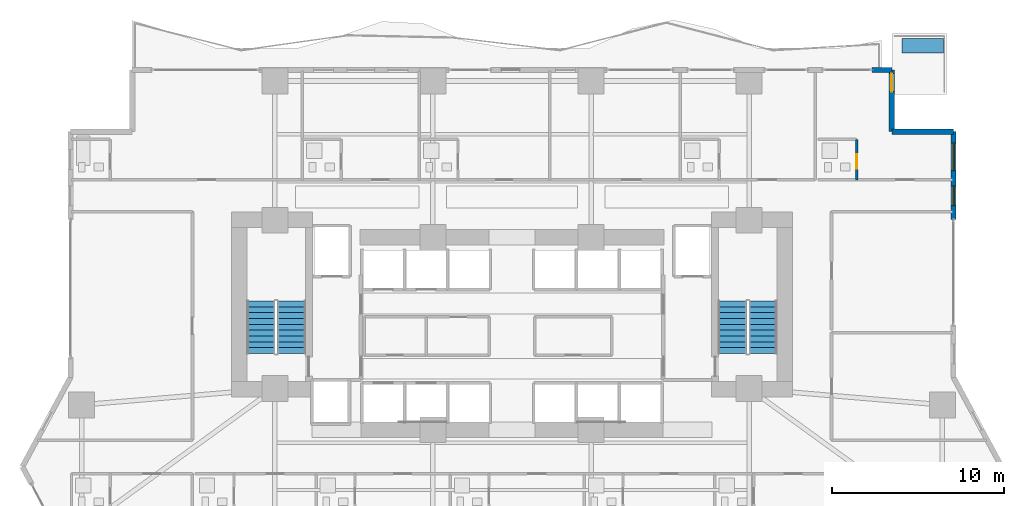
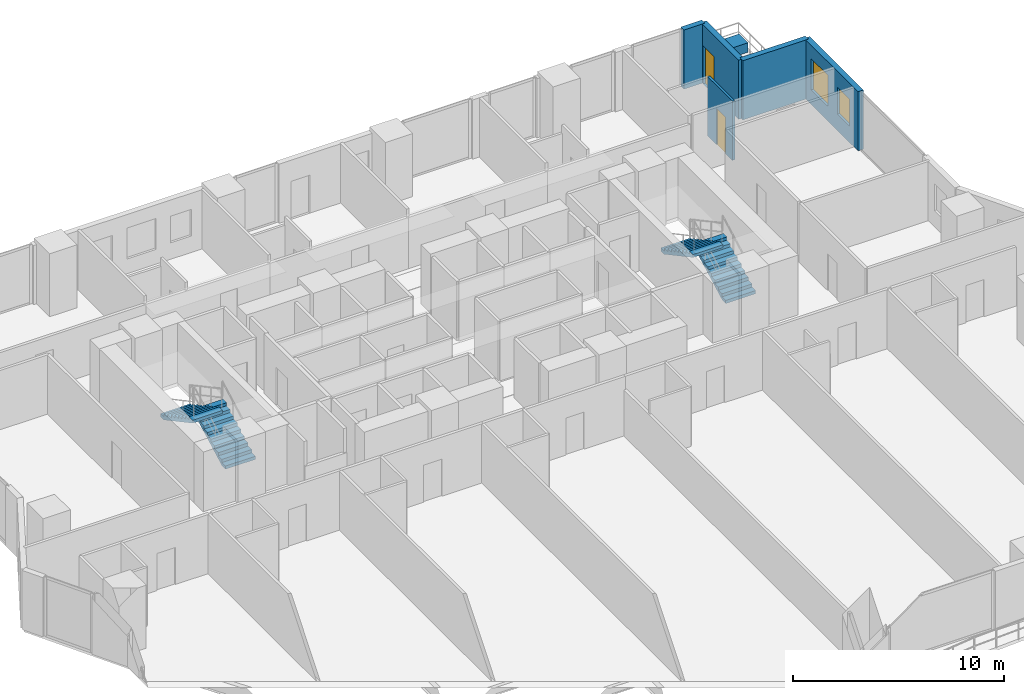
# One storey, part 23 of 28: 5 walls, 4 stair flights, 2 doors, 2 windows, 1 building element part, 4 openings, 2 elements without a shape of their own.
"""IFC4 building model written with IfcOpenShell, lengths in metres."""

from ifc_helpers import new_model, si_unit, direction, frame, frame_2d, origin, origin_2d, place, context, subcontext, project, spatial, polyline, rectangle, outline, extrude, material, layer, layer_set, type_object, element, fill, aggregate, save


model = new_model("IFC4")

# Units and contexts
model_context = context("Model", 3, precision=1e-05, world=origin(), true_north=direction((0.0, 1.0)))
body_context = subcontext(model_context, "Body", "Model", "MODEL_VIEW")
ifc_project = project(units=[si_unit("LENGTHUNIT", "METRE"), si_unit("AREAUNIT", "SQUARE_METRE"), si_unit("VOLUMEUNIT", "CUBIC_METRE"), si_unit("PLANEANGLEUNIT", "RADIAN"), si_unit("MASSUNIT", "GRAM", prefix="KILO")], contexts=[model_context])

# Site, building, storey
site_placement = place(None, origin())
site = spatial("IfcSite", under=ifc_project, at=site_placement, CompositionType="ELEMENT")
building_placement = place(site_placement, origin())
building = spatial("IfcBuilding", under=site, at=building_placement, Name="Zuhayl Quay Hotel", CompositionType="ELEMENT")
storey_placement = place(building_placement, frame((0.0, 0.0, 49.5)))
storey = spatial("IfcBuildingStorey", under=building, at=storey_placement, Name="L11", CompositionType="ELEMENT", Elevation=49.5)

# Wall
ifc_material_1 = material(Name="Precast concrete C45/55", Category="concrete")
ifc_layer_1 = layer(ifc_material_1, 0.300048828125, Name="Precast concrete C45/55", Category="concrete")
ifc_layer_set_1 = layer_set([ifc_layer_1], Name="Precast concrete C45/55")
wall_type_1 = type_object("IfcWallType", Name="WL_EXT_300", PredefinedType="STANDARD", material=ifc_layer_set_1)
wall_1_placement = place(storey_placement, frame((20.949951171875, 23.10009765625, 0.0), z_axis=(0.0, 0.0, 1.0), x_axis=(1.0, 0.0, 0.0)))
element("IfcWall", 1, at=wall_1_placement, inside=storey, type_object=wall_type_1, Name="L11 Exterior Precast Wall ENV_L11_N_EW7", PredefinedType="STANDARD", context=body_context, shape_type="SweptSolid", body=[
    extrude(rectangle(XDim=1.150146484375, YDim=0.300048828125, at=frame_2d((0.5751953125, 0.0))), origin(), (0.0, 0.0, 1.0), 3.429931640625),
])

# Wall, opening, door
wall_2_placement = place(storey_placement, frame((22.10009765625, 23.10009765625, 0.0), z_axis=(0.0, 0.0, 1.0), x_axis=(0.0, -1.0, 0.0)))
wall_2 = element("IfcWall", 2, at=wall_2_placement, inside=storey, type_object=wall_type_1, Name="L11 Exterior Precast Wall ENV_L11_SP_NE", PredefinedType="STANDARD", context=body_context, shape_type="SweptSolid", body=[
    extrude(rectangle(XDim=3.60009765625, YDim=0.300048828125, at=frame_2d((1.800048828125, 0.0))), origin(), (0.0, 0.0, 1.0), 3.429931640625),
])
opening_1_placement = place(wall_2_placement, frame((0.219970703125, 0.0, 0.0)))
opening_1 = element("IfcOpeningElement", 3, at=opening_1_placement, cuts=wall_2, Name="Opening DG1", PredefinedType="OPENING", context=body_context, shape_type="SweptSolid", body=[
    extrude(rectangle(XDim=1.050048828125, YDim=2.199951171875, at=frame_2d((0.52490234375, 1.10009765625))), frame((0.0, 0.159912109375, 0.0), z_axis=(0.0, -1.0, 0.0), x_axis=(1.0, 0.0, 0.0)), (0.0, 0.0, 1.0), 0.320068359375),
])
ifc_material_2 = material(Name="Anodised Aluminium and Dark Solar Glass", Category="aluminium")
door_type_1 = type_object("IfcDoorType", Name="DR_EXT_TERR_1050", OperationType="NOTDEFINED", PredefinedType="DOOR", material=ifc_material_2)
door_1_placement = place(opening_1_placement, origin())
door_1 = element("IfcDoor", 4, at=door_1_placement, inside=storey, type_object=door_type_1, Name="L11 Spiral Sky-Terrace NE Access Door", OperationType="SINGLE_SWING_LEFT", OverallHeight=2.199951171875, OverallWidth=1.050048828125, PredefinedType="DOOR", context=body_context, shape_type="SweptSolid", body=[
    extrude(rectangle(XDim=1.050048828125, YDim=2.199951171875, at=frame_2d((0.52490234375, 1.10009765625))), frame((0.0, 0.02490234375, 0.0), z_axis=(0.0, -1.0, 0.0), x_axis=(1.0, 0.0, 0.0)), (0.0, 0.0, 1.0), 0.050048828125),
])
fill(opening_1, door_1)

# Wall
wall_3_placement = place(storey_placement, frame((22.10009765625, 19.5, 0.0), z_axis=(0.0, 0.0, 1.0), x_axis=(1.0, 0.0, 0.0)))
element("IfcWall", 5, at=wall_3_placement, inside=storey, type_object=wall_type_1, Name="L11 Exterior Precast Wall ENV_L11_EW10", PredefinedType="STANDARD", context=body_context, shape_type="SweptSolid", body=[
    extrude(rectangle(XDim=3.599853515625, YDim=0.300048828125, at=frame_2d((1.7998046875, 0.0))), origin(), (0.0, 0.0, 1.0), 3.429931640625),
])

# Wall, openings, windows
wall_4_placement = place(storey_placement, frame((25.699951171875, 19.5, 0.0), z_axis=(0.0, 0.0, 1.0), x_axis=(0.0, -1.0, 0.0)))
wall_4 = element("IfcWall", 6, at=wall_4_placement, inside=storey, type_object=wall_type_1, Name="L11 Exterior Precast Wall ENV_L11_E11_EW1", PredefinedType="STANDARD", context=body_context, shape_type="SweptSolid", body=[
    extrude(rectangle(XDim=5.10009765625, YDim=0.300048828125, at=frame_2d((2.550048828125, 0.0))), origin(), (0.0, 0.0, 1.0), 3.429931640625),
])
opening_2_placement = place(wall_4_placement, frame((0.659912109375, 0.0, 0.85009765625)))
opening_2 = element("IfcOpeningElement", 7, at=opening_2_placement, cuts=wall_4, Name="Opening W01", PredefinedType="OPENING", context=body_context, shape_type="SweptSolid", body=[
    extrude(rectangle(XDim=1.60009765625, YDim=1.800048828125, at=frame_2d((0.800048828125, 0.89990234375))), frame((0.0, 0.159912109375, 0.0), z_axis=(0.0, -1.0, 0.0), x_axis=(1.0, 0.0, 0.0)), (0.0, 0.0, 1.0), 0.320068359375),
])
opening_3_placement = place(wall_4_placement, frame((3.14990234375, 0.0, 0.949951171875)))
opening_3 = element("IfcOpeningElement", 8, at=opening_3_placement, cuts=wall_4, Name="Opening W01N", PredefinedType="OPENING", context=body_context, shape_type="SweptSolid", body=[
    extrude(rectangle(XDim=1.14990234375, YDim=1.550048828125, at=frame_2d((0.574951171875, 0.77490234375))), frame((0.0, 0.159912109375, 0.0), z_axis=(0.0, -1.0, 0.0), x_axis=(1.0, 0.0, 0.0)), (0.0, 0.0, 1.0), 0.320068359375),
])
ifc_material_3 = material(Name="Dark Ceramic-Fritted Solar Glass", Category="glass")
window_type_1 = type_object("IfcWindowType", Name="WN_NOTCH_1350", PartitioningType="SINGLE_PANEL", PredefinedType="WINDOW", material=ifc_material_3)
window_1_placement = place(opening_3_placement, origin())
window_1 = element("IfcWindow", 9, at=window_1_placement, inside=storey, type_object=window_type_1, Name="L11 Operable Facade Window 1-2", OverallHeight=1.550048828125, OverallWidth=1.14990234375, PartitioningType="SINGLE_PANEL", PredefinedType="WINDOW", context=body_context, shape_type="SweptSolid", body=[
    extrude(rectangle(XDim=1.14990234375, YDim=1.550048828125, at=frame_2d((0.574951171875, 0.77490234375))), frame((0.0, 0.030029296875, 0.0), z_axis=(0.0, -1.0, 0.0), x_axis=(1.0, 0.0, 0.0)), (0.0, 0.0, 1.0), 0.06005859375),
])
fill(opening_3, window_1)
window_type_2 = type_object("IfcWindowType", Name="WN_OPERABLE_1600", PartitioningType="DOUBLE_PANEL_VERTICAL", PredefinedType="WINDOW", material=ifc_material_3)
window_2_placement = place(opening_2_placement, origin())
window_2 = element("IfcWindow", 10, at=window_2_placement, inside=storey, type_object=window_type_2, Name="L11 Operable Facade Window 1-1", OverallHeight=1.800048828125, OverallWidth=1.60009765625, PartitioningType="SINGLE_PANEL", PredefinedType="WINDOW", context=body_context, shape_type="SweptSolid", body=[
    extrude(rectangle(XDim=1.60009765625, YDim=1.800048828125, at=frame_2d((0.800048828125, 0.89990234375))), frame((0.0, 0.030029296875, 0.0), z_axis=(0.0, -1.0, 0.0), x_axis=(1.0, 0.0, 0.0)), (0.0, 0.0, 1.0), 0.06005859375),
])
fill(opening_2, window_2)

# Wall, opening, door
ifc_material_4 = material(Name="Moisture-Resistant Sanitarychase Gypsum")
ifc_layer_2 = layer(ifc_material_4, 0.135009765625, Name="Moisture-Resistant Sanitarychase Gypsum")
ifc_layer_set_2 = layer_set([ifc_layer_2], Name="Moisture-Resistant Sanitarychase Gypsum")
wall_type_2 = type_object("IfcWallType", Name="WL_PART_PLUMB_150", PredefinedType="PLUMBINGWALL", material=ifc_layer_set_2)
wall_5_placement = place(storey_placement, frame((20.06005859375, 16.699951171875, 0.0), z_axis=(0.0, 0.0, 1.0), x_axis=(0.0, 1.0, 0.0)))
wall_5 = element("IfcWall", 11, at=wall_5_placement, inside=storey, type_object=wall_type_2, Name="L11 Partition IW_L11_NU05B_BE", PredefinedType="PLUMBINGWALL", context=body_context, shape_type="SweptSolid", body=[
    extrude(rectangle(XDim=2.360107421875, YDim=0.135009765625, at=frame_2d((1.18017578125, 0.0))), origin(), (0.0, 0.0, 1.0), 3.429931640625),
])
opening_4_placement = place(wall_5_placement, frame((0.64990234375, 0.0, 0.0)))
opening_4 = element("IfcOpeningElement", 12, at=opening_4_placement, cuts=wall_5, Name="Opening D04", PredefinedType="OPENING", context=body_context, shape_type="SweptSolid", body=[
    extrude(rectangle(XDim=0.85009765625, YDim=2.10009765625, at=frame_2d((0.425048828125, 1.050048828125))), frame((0.0, 0.077392578125, 0.0), z_axis=(0.0, -1.0, 0.0), x_axis=(1.0, 0.0, 0.0)), (0.0, 0.0, 1.0), 0.155029296875),
])
ifc_material_5 = material(Name="Moisture-Resistant Walnut Veneer")
door_type_2 = type_object("IfcDoorType", Name="DR_BATH_850", OperationType="NOTDEFINED", PredefinedType="DOOR", material=ifc_material_5)
door_2_placement = place(opening_4_placement, origin())
door_2 = element("IfcDoor", 13, at=door_2_placement, inside=storey, type_object=door_type_2, Name="L11 Deluxe Gulf Guest Room L11-05B En-Suite Door", OperationType="SINGLE_SWING_RIGHT", OverallHeight=2.10009765625, OverallWidth=0.85009765625, PredefinedType="DOOR", context=body_context, shape_type="SweptSolid", body=[
    extrude(rectangle(XDim=0.85009765625, YDim=2.10009765625, at=frame_2d((0.425048828125, 1.050048828125))), frame((0.0, 0.02490234375, 0.0), z_axis=(0.0, -1.0, 0.0), x_axis=(1.0, 0.0, 0.0)), (0.0, 0.0, 1.0), 0.050048828125),
])
fill(opening_4, door_2)

# Stair, stair flights
ifc_material_6 = material(Name="Concrete C45/55", Category="concrete")
stair_type = type_object("IfcStairType", Name="ST_DOGLEG_TOWER", PredefinedType="HALF_TURN_STAIR", material=ifc_material_6)
stair_1_placement = place(storey_placement, origin())
stair_1 = element("IfcStair", 14, at=stair_1_placement, inside=storey, type_object=stair_type, Name="L11 Smokeproof Exit Stair ST1", PredefinedType="HALF_TURN_STAIR")
ifc_layer_3 = layer(ifc_material_6, 0.159912109375, Name="Concrete C45/55", Category="concrete")
ifc_layer_set_3 = layer_set([ifc_layer_3], Name="Concrete C45/55")
stair_flight_type = type_object("IfcStairFlightType", Name="SF_CONC_164", PredefinedType="STRAIGHT", material=ifc_layer_set_3)
stair_flight_1_placement = place(storey_placement, frame((-12.820068359375, 6.590087890625, 0.0), z_axis=(0.0, 0.0, 1.0), x_axis=(0.0, 1.0, 0.0)))
stair_flight_1 = element("IfcStairFlight", 15, at=stair_flight_1_placement, type_object=stair_flight_type, Name="ST1 flight 1", NumberOfRisers=10, NumberOfTreads=9, PredefinedType="STRAIGHT", RiserHeight=0.1825, TreadLength=0.34, context=body_context, shape_type="SweptSolid", body=[
    extrude(outline(polyline([(0.0, 0.0), (0.0, 0.1826171875), (0.340087890625, 0.1826171875), (0.340087890625, 0.364990234375), (0.679931640625, 0.364990234375), (0.679931640625, 0.547607421875), (1.02001953125, 0.547607421875), (1.02001953125, 0.72998046875), (1.360107421875, 0.72998046875), (1.360107421875, 0.91259765625), (1.699951171875, 0.91259765625), (1.699951171875, 1.094970703125), (2.0400390625, 1.094970703125), (2.0400390625, 1.277587890625), (2.3798828125, 1.277587890625), (2.3798828125, 1.4599609375), (2.719970703125, 1.4599609375), (2.719970703125, 1.642578125), (3.06005859375, 1.642578125), (3.06005859375, 1.824951171875), (3.06005859375, 1.472412109375), (0.31689453125, 0.0), (0.0, 0.0)])), frame((0.0, 0.81982421875, 0.0), z_axis=(0.0, -1.0, 0.0), x_axis=(1.0, 0.0, 0.0)), (0.0, 0.0, 1.0), 1.639892578125),
])
stair_flight_2_placement = place(storey_placement, frame((-14.610107421875, 9.64990234375, 1.824951171875), z_axis=(0.0, 0.0, 1.0), x_axis=(0.0, -1.0, 0.0)))
stair_flight_2 = element("IfcStairFlight", 16, at=stair_flight_2_placement, type_object=stair_flight_type, Name="ST1 flight 2", NumberOfRisers=10, NumberOfTreads=9, PredefinedType="STRAIGHT", RiserHeight=0.1825, TreadLength=0.34, context=body_context, shape_type="SweptSolid", body=[
    extrude(outline(polyline([(0.0, 0.0), (0.0, 0.1826171875), (0.340087890625, 0.1826171875), (0.340087890625, 0.364990234375), (0.679931640625, 0.364990234375), (0.679931640625, 0.547607421875), (1.02001953125, 0.547607421875), (1.02001953125, 0.72998046875), (1.360107421875, 0.72998046875), (1.360107421875, 0.91259765625), (1.699951171875, 0.91259765625), (1.699951171875, 1.094970703125), (2.0400390625, 1.094970703125), (2.0400390625, 1.277587890625), (2.3798828125, 1.277587890625), (2.3798828125, 1.4599609375), (2.719970703125, 1.4599609375), (2.719970703125, 1.642578125), (3.06005859375, 1.642578125), (3.06005859375, 1.824951171875), (3.06005859375, 1.472412109375), (0.31689453125, 0.0), (0.0, 0.0)])), frame((0.0, 0.81982421875, 0.0), z_axis=(0.0, -1.0, 0.0), x_axis=(1.0, 0.0, 0.0)), (0.0, 0.0, 1.0), 1.639892578125),
])
aggregate(stair_1, [stair_flight_1, stair_flight_2])

stair_2_placement = place(storey_placement, origin())
stair_2 = element("IfcStair", 17, at=stair_2_placement, inside=storey, type_object=stair_type, Name="L11 Smokeproof Exit Stair ST2", PredefinedType="HALF_TURN_STAIR")
stair_flight_3_placement = place(storey_placement, frame((14.610107421875, 6.590087890625, 0.0), z_axis=(0.0, 0.0, 1.0), x_axis=(0.0, 1.0, 0.0)))
stair_flight_3 = element("IfcStairFlight", 18, at=stair_flight_3_placement, type_object=stair_flight_type, Name="ST2 flight 1", NumberOfRisers=10, NumberOfTreads=9, PredefinedType="STRAIGHT", RiserHeight=0.1825, TreadLength=0.34, context=body_context, shape_type="SweptSolid", body=[
    extrude(outline(polyline([(0.0, 0.0), (0.0, 0.1826171875), (0.340087890625, 0.1826171875), (0.340087890625, 0.364990234375), (0.679931640625, 0.364990234375), (0.679931640625, 0.547607421875), (1.02001953125, 0.547607421875), (1.02001953125, 0.72998046875), (1.360107421875, 0.72998046875), (1.360107421875, 0.91259765625), (1.699951171875, 0.91259765625), (1.699951171875, 1.094970703125), (2.0400390625, 1.094970703125), (2.0400390625, 1.277587890625), (2.3798828125, 1.277587890625), (2.3798828125, 1.4599609375), (2.719970703125, 1.4599609375), (2.719970703125, 1.642578125), (3.06005859375, 1.642578125), (3.06005859375, 1.824951171875), (3.06005859375, 1.472412109375), (0.31689453125, 0.0), (0.0, 0.0)])), frame((0.0, 0.81982421875, 0.0), z_axis=(0.0, -1.0, 0.0), x_axis=(1.0, 0.0, 0.0)), (0.0, 0.0, 1.0), 1.639892578125),
])
stair_flight_4_placement = place(storey_placement, frame((12.820068359375, 9.64990234375, 1.824951171875), z_axis=(0.0, 0.0, 1.0), x_axis=(0.0, -1.0, 0.0)))
stair_flight_4 = element("IfcStairFlight", 19, at=stair_flight_4_placement, type_object=stair_flight_type, Name="ST2 flight 2", NumberOfRisers=10, NumberOfTreads=9, PredefinedType="STRAIGHT", RiserHeight=0.1825, TreadLength=0.34, context=body_context, shape_type="SweptSolid", body=[
    extrude(outline(polyline([(0.0, 0.0), (0.0, 0.1826171875), (0.340087890625, 0.1826171875), (0.340087890625, 0.364990234375), (0.679931640625, 0.364990234375), (0.679931640625, 0.547607421875), (1.02001953125, 0.547607421875), (1.02001953125, 0.72998046875), (1.360107421875, 0.72998046875), (1.360107421875, 0.91259765625), (1.699951171875, 0.91259765625), (1.699951171875, 1.094970703125), (2.0400390625, 1.094970703125), (2.0400390625, 1.277587890625), (2.3798828125, 1.277587890625), (2.3798828125, 1.4599609375), (2.719970703125, 1.4599609375), (2.719970703125, 1.642578125), (3.06005859375, 1.642578125), (3.06005859375, 1.824951171875), (3.06005859375, 1.472412109375), (0.31689453125, 0.0), (0.0, 0.0)])), frame((0.0, 0.81982421875, 0.0), z_axis=(0.0, -1.0, 0.0), x_axis=(1.0, 0.0, 0.0)), (0.0, 0.0, 1.0), 1.639892578125),
])
aggregate(stair_2, [stair_flight_3, stair_flight_4])

# Building element part
ifc_layer_4 = layer(ifc_material_1, 0.550048828125, Name="Precast concrete C45/55", Category="concrete")
ifc_layer_set_4 = layer_set([ifc_layer_4], Name="Precast concrete C45/55")
building_element_part_type = type_object("IfcBuildingElementPartType", Name="PT_PLANTER_KERB", PredefinedType="PRECASTPANEL", material=ifc_layer_set_4)
building_element_part_placement = place(storey_placement, frame((23.909912109375, 24.510009765625, 0.0), z_axis=(0.0, 0.0, 1.0), x_axis=(1.0, 0.0, 0.0)))
element("IfcBuildingElementPart", 20, at=building_element_part_placement, inside=storey, type_object=building_element_part_type, Name="L11 Spiral Sky-Terrace Planter Box NE", PredefinedType="PRECASTPANEL", context=body_context, shape_type="SweptSolid", body=[
    extrude(rectangle(XDim=2.39990234375, YDim=0.85009765625, at=origin_2d()), origin(), (0.0, 0.0, 1.0), 0.550048828125),
])

save(model, "model.ifc")
